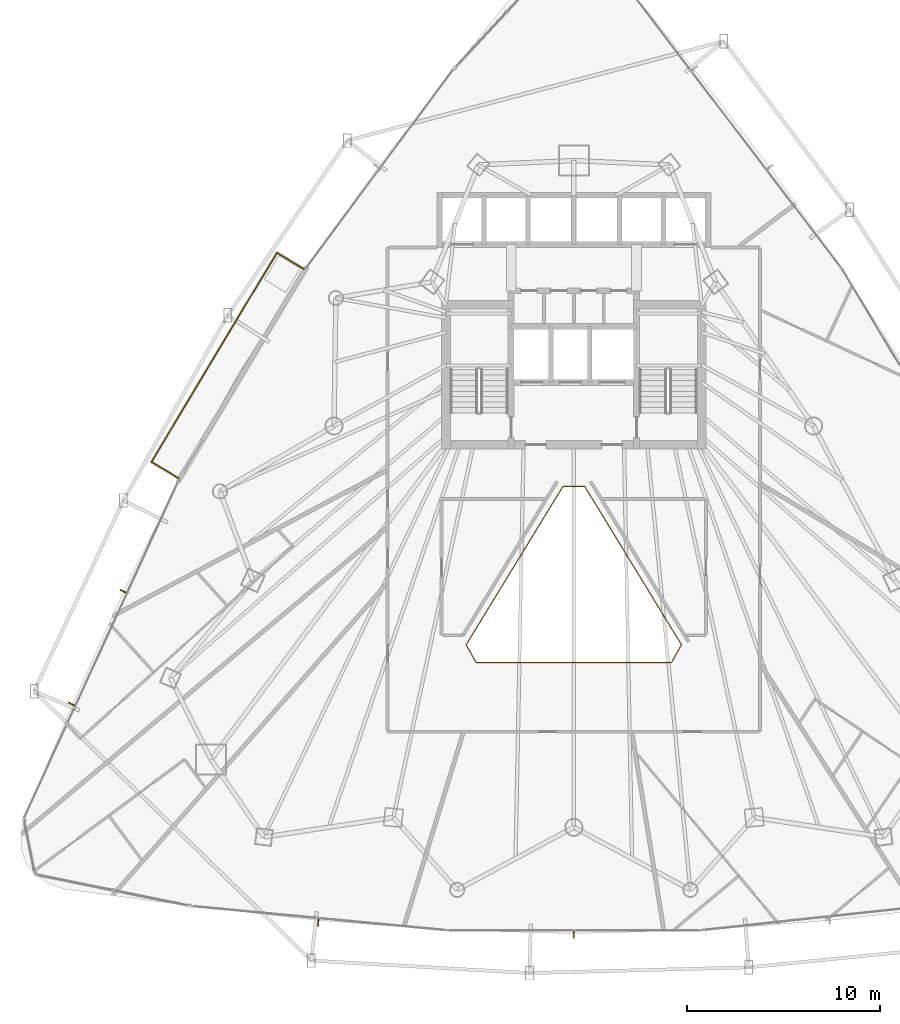
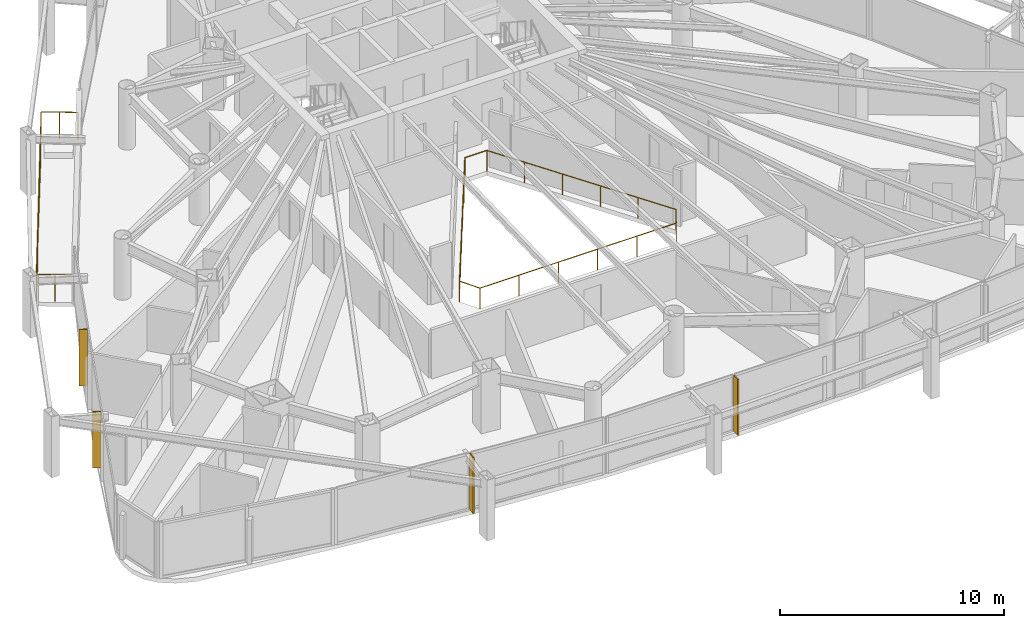
# One storey, part 35 of 38: 4 shading devices, 2 railings.
"""IFC4 building model written with IfcOpenShell, lengths in metres."""

import ifcopenshell
import ifcopenshell.guid

model = None  # the IFC model being written
_history = None  # IfcOwnerHistory: only IFC2X3 demands one
_inside = {}  # id of a spatial element -> (the spatial element, [elements in it])
_under = {}  # id of a project, library or spatial element -> (it, [spatial elements below it])
_declared = {}  # id of a project -> (the project, [libraries it declares])
_typed = {}  # id of a type object -> (the type object, [elements of that type])
_made_of = {}  # id of a material, layer set ... -> (it, [elements and type objects made of it])


def new_model(schema):
    """Start an empty IFC model of exactly this schema.

    Asked for "IFC4X3", IfcOpenShell would pick the latest addendum, in which some entities
    have other attributes; the version numbers below select the first issue.
    IFC2X3 requires an IfcOwnerHistory on every rooted entity: one is made here for all.
    """
    global model, _history
    if schema == "IFC4X3":
        model = ifcopenshell.file(schema_version=(4, 3, 0, 0))
    else:
        model = ifcopenshell.file(schema=schema)
    _inside.clear()
    _under.clear()
    _declared.clear()
    _typed.clear()
    _made_of.clear()
    _history = None
    if model.schema == "IFC2X3":
        org = make("IfcOrganization", Name="unknown")
        user = make(
            "IfcPersonAndOrganization",
            ThePerson=make("IfcPerson", FamilyName="unknown"),
            TheOrganization=org,
        )
        app = make(
            "IfcApplication",
            ApplicationDeveloper=org,
            Version="unknown",
            ApplicationFullName="unknown",
            ApplicationIdentifier="unknown",
        )
        _history = make(
            "IfcOwnerHistory",
            OwningUser=user,
            OwningApplication=app,
            ChangeAction="ADDED",
            CreationDate=0,
        )
    return model


def make(cls, **values):
    """One entity of the class cls with the attributes given. An attribute that is None is left unset."""
    return model.create_entity(
        cls, **{name: value for name, value in values.items() if value is not None}
    )


def rooted(cls, **values):
    """An entity with a GlobalId (a new one), such as an element, a storey or a relation."""
    return make(cls, GlobalId=ifcopenshell.guid.new(), OwnerHistory=_history, **values)


def si_unit(unit_type, name, prefix=None):
    """IfcSIUnit, for example si_unit("LENGTHUNIT", "METRE", prefix="MILLI")."""
    return make("IfcSIUnit", UnitType=unit_type, Prefix=prefix, Name=name)


def assignment(units):
    """IfcUnitAssignment: the units of a project."""
    return None if units is None else make("IfcUnitAssignment", Units=units)


def point(xyz):
    """IfcCartesianPoint."""
    return None if xyz is None else make("IfcCartesianPoint", Coordinates=xyz)


def direction(xyz):
    """IfcDirection."""
    return None if xyz is None else make("IfcDirection", DirectionRatios=xyz)


def frame(location, z_axis=None, x_axis=None):
    """IfcAxis2Placement3D, a coordinate frame: its origin and axes. An axis left out is left unset."""
    return make(
        "IfcAxis2Placement3D",
        Location=point(location),
        Axis=direction(z_axis),
        RefDirection=direction(x_axis),
    )


def frame_2d(location, x_axis=None):
    """IfcAxis2Placement2D, a coordinate frame in the plane: its origin and x axis."""
    return make(
        "IfcAxis2Placement2D", Location=point(location), RefDirection=direction(x_axis)
    )


def origin():
    """The frame at (0, 0, 0) with its axes left unset."""
    return frame((0.0, 0.0, 0.0))


def origin_2d():
    """The frame at (0, 0) in the plane with its x axis left unset."""
    return frame_2d((0.0, 0.0))


def place(relative_to, where):
    """IfcLocalPlacement: puts the frame where relative to a parent placement (None: the world)."""
    return make(
        "IfcLocalPlacement", PlacementRelTo=relative_to, RelativePlacement=where
    )


def context(
    kind, dimensions, precision=None, world=None, true_north=None, identifier=None
):
    """IfcGeometricRepresentationContext, for example the 3D "Model" context."""
    return make(
        "IfcGeometricRepresentationContext",
        ContextIdentifier=identifier,
        ContextType=kind,
        CoordinateSpaceDimension=dimensions,
        Precision=precision,
        WorldCoordinateSystem=world,
        TrueNorth=true_north,
    )


def subcontext(parent, identifier, kind, view, scale=None):
    """IfcGeometricRepresentationSubContext, for example "Body" below "Model"."""
    return make(
        "IfcGeometricRepresentationSubContext",
        ContextIdentifier=identifier,
        ContextType=kind,
        ParentContext=parent,
        TargetScale=scale,
        TargetView=view,
    )


def project(units=None, contexts=None):
    """IfcProject with its units and contexts."""
    return rooted(
        "IfcProject",
        Name="project",
        RepresentationContexts=contexts,
        UnitsInContext=assignment(units),
    )


def spatial(cls, under=None, at=None, **own):
    """A site, building, storey or space (cls), placed at a placement, below another one or the project."""
    s = rooted(cls, ObjectPlacement=at, **own)
    if under is not None:
        _under.setdefault(under.id(), (under, []))[1].append(s)
    return s


def profile(cls, at=None, kind="AREA", **sizes):
    """A parametric profile (cls). Its sizes go by their IFC names, for example OverallWidth=200.0."""
    return make(cls, ProfileType=kind, Position=at, **sizes)


def rectangle(**sizes):
    """IfcRectangleProfileDef."""
    return profile("IfcRectangleProfileDef", **sizes)


def circle(**sizes):
    """IfcCircleProfileDef."""
    return profile("IfcCircleProfileDef", **sizes)


def extrude(swept, where, along, depth):
    """IfcExtrudedAreaSolid: the profile swept, set in the frame where, extruded along a direction by depth."""
    return make(
        "IfcExtrudedAreaSolid",
        SweptArea=swept,
        Position=where,
        ExtrudedDirection=direction(along),
        Depth=depth,
    )


def shape(context_of_items, identifier, shape_type, items):
    """IfcShapeRepresentation: the items that make up one representation, for example the "Body"."""
    return make(
        "IfcShapeRepresentation",
        ContextOfItems=context_of_items,
        RepresentationIdentifier=identifier,
        RepresentationType=shape_type,
        Items=items,
    )


def material(Name=None, Category=None):
    """IfcMaterial."""
    return make("IfcMaterial", Name=Name, Category=Category)


def layer(
    of_material, thickness, ventilated=None, Name=None, Category=None, Priority=None
):
    """IfcMaterialLayer: one layer of a wall or slab, of a material (None: an air gap)."""
    return make(
        "IfcMaterialLayer",
        Material=of_material,
        LayerThickness=thickness,
        IsVentilated=ventilated,
        Name=Name,
        Category=Category,
        Priority=Priority,
    )


def layer_set(layers, Name=None):
    """IfcMaterialLayerSet."""
    return make("IfcMaterialLayerSet", MaterialLayers=layers, LayerSetName=Name)


def made_of(thing, what):
    """Note that an element or type object is made of a material, layer set ...; save() writes the relation."""
    if what is not None:
        _made_of.setdefault(what.id(), (what, []))[1].append(thing)
    return thing


def type_object(cls, material=None, **own):
    """A type object (cls), such as IfcWallType, which elements share."""
    return made_of(rooted(cls, **own), material)


def element(
    cls,
    number,
    at=None,
    inside=None,
    cuts=None,
    type_object=None,
    material=None,
    context=None,
    identifier="Body",
    shape_type=None,
    held_by="IfcProductDefinitionShape",
    body=None,
    shapes=None,
    **own,
):
    """One element of the class cls, such as IfcWall. Its Tag is "e" and its number.

    at: its placement. inside: the storey or other place that contains it. cuts: it is an
    opening in that element (IfcRelVoidsElement). A single representation is given by context,
    identifier, shape_type and body (its items); several are given by shapes. held_by: the class
    of the entity that holds the representations. save() writes the other relations.
    """
    e = rooted(cls, Tag="e%d" % number, ObjectPlacement=at, **own)
    if body is not None:
        shapes = [shape(context, identifier, shape_type, body)]
    if shapes is not None:
        e.Representation = make(held_by, Representations=shapes)
    if inside is not None:
        _inside.setdefault(inside.id(), (inside, []))[1].append(e)
    if cuts is not None:
        rooted(
            "IfcRelVoidsElement", RelatingBuildingElement=cuts, RelatedOpeningElement=e
        )
    if type_object is not None:
        _typed.setdefault(type_object.id(), (type_object, []))[1].append(e)
    return made_of(e, material)


def aggregate(whole, parts):
    """IfcRelAggregates: a whole, such as a stair, and the parts it consists of."""
    return rooted("IfcRelAggregates", RelatingObject=whole, RelatedObjects=parts)


def save(model, path):
    """Write the relations noted so far, then the file.

    IfcRelAggregates (storeys below a building ...), IfcRelContainedInSpatialStructure (elements
    in a storey), IfcRelDefinesByType, IfcRelAssociatesMaterial and IfcRelDeclares: one each for
    every whole, place, type object, material and project.
    """
    for whole, parts in _under.values():
        aggregate(whole, parts)
    for where, things in _inside.values():
        rooted(
            "IfcRelContainedInSpatialStructure",
            RelatedElements=things,
            RelatingStructure=where,
        )
    for kind, things in _typed.values():
        rooted("IfcRelDefinesByType", RelatedObjects=things, RelatingType=kind)
    for what, things in _made_of.values():
        rooted("IfcRelAssociatesMaterial", RelatedObjects=things, RelatingMaterial=what)
    for by, libraries in _declared.values():
        rooted("IfcRelDeclares", RelatingContext=by, RelatedDefinitions=libraries)
    model.write(path)


model = new_model("IFC4")

# Units and contexts
model_context = context("Model", 3, precision=1e-05, world=origin(), true_north=direction((0.0, 1.0)))
body_context = subcontext(model_context, "Body", "Model", "MODEL_VIEW")
ifc_project = project(units=[si_unit("LENGTHUNIT", "METRE"), si_unit("AREAUNIT", "SQUARE_METRE"), si_unit("VOLUMEUNIT", "CUBIC_METRE"), si_unit("PLANEANGLEUNIT", "RADIAN"), si_unit("MASSUNIT", "GRAM", prefix="KILO")], contexts=[model_context])

# Site, building, storey
site_placement = place(None, origin())
site = spatial("IfcSite", under=ifc_project, at=site_placement, CompositionType="ELEMENT")
building_placement = place(site_placement, origin())
building = spatial("IfcBuilding", under=site, at=building_placement, Name="Orvanel Arch Residences", CompositionType="ELEMENT")
storey_placement = place(building_placement, frame((0.0, 0.0, 46.699951171875)))
storey = spatial("IfcBuildingStorey", under=building, at=storey_placement, Name="L12", CompositionType="ELEMENT", Elevation=46.699951171875)

# Shading devices
ifc_material = material(Name="Bronze-anodised aluminium AA6063-T6", Category="aluminium")
ifc_layer = layer(ifc_material, 0.06005859375)
ifc_layer_set = layer_set([ifc_layer], Name="Bronze-anodised aluminium AA6063-T6")
shading_device_type = type_object("IfcShadingDeviceType", Name="FIN-BRZ-380", PredefinedType="USERDEFINED", material=ifc_layer_set)
for number, where, z_axis, x_axis, name in (
    (1, (9.652099609375, 19.073974609375, 0.0), (0.0, 0.0, 1.0), (-0.909236109047, 0.41628079226, 0.0), "L12 Anodised Bronze Mullion FIN 01"),
    (2, (6.97802734375, 13.23388671875, 0.0), (0.0, 0.0, 1.0), (-0.909236109047, 0.41628079226, 0.0), "L12 Anodised Bronze Mullion FIN 02"),
    (3, (19.757080078125, 1.91796875, 0.0), (0.0, 0.0, 1.0), (-0.094108313319, -0.995561964603, 0.0), "L12 Anodised Bronze Mullion FIN 01"),
    (4, (33.0, 1.291015625, 0.0), (0.0, 0.0, 1.0), (0.0, -1.0, 0.0), "L12 Anodised Bronze Mullion FIN 01"),
):
    element("IfcShadingDevice", number, at=place(storey_placement, frame(where, z_axis=z_axis, x_axis=x_axis)), inside=storey, type_object=shading_device_type, Name=name, ObjectType="FIN", PredefinedType="USERDEFINED", context=body_context, shape_type="SweptSolid", body=[
        extrude(rectangle(XDim=0.3798828125, YDim=0.06005859375, at=origin_2d()), origin(), (0.0, 0.0, 1.0), 3.06005859375),
    ])

# Railings
railing_type_1 = type_object("IfcRailingType", Name="RL-ATR-1150", PredefinedType="BALUSTRADE", material=ifc_material)
railing_1_placement = place(storey_placement, frame((33.56494140625, 24.5009765625, 0.0)))
element("IfcRailing", 5, at=railing_1_placement, inside=storey, type_object=railing_type_1, Name="L12 Atrium Void Protective Balustrade", PredefinedType="BALUSTRADE", context=body_context, shape_type="SweptSolid", body=[
    extrude(circle(Radius=0.02392578125, at=origin_2d()), frame((-0.00146484375, 0.0, 1.1259765625), z_axis=(-1.0, 0.0, 0.0), x_axis=(0.0, -1.0, 0.0)), (0.0, 0.0, 1.0), 1.126953125),
    extrude(circle(Radius=0.02392578125, at=origin_2d()), frame((-1.130615234375, -0.001220703125, 1.1259765625), z_axis=(-0.521548736033, -0.853221492897, 0.0), x_axis=(0.853221492897, -0.521548736033, 0.0)), (0.0, 0.0, 1.0), 9.599365234375),
    extrude(circle(Radius=0.02392578125, at=origin_2d()), frame((-6.13720703125, -8.194091796875, 1.1259765625), z_axis=(0.489024361599, -0.872270126602, 0.0), x_axis=(0.872270126602, 0.489024361599, 0.0)), (0.0, 0.0, 1.0), 1.056396484375),
    extrude(circle(Radius=0.02392578125, at=origin_2d()), frame((-5.618408203125, -9.116943359375, 1.1259765625), z_axis=(1.0, 0.0, 0.0), x_axis=(0.0, 1.0, 0.0)), (0.0, 0.0, 1.0), 10.10693359375),
    extrude(circle(Radius=0.02392578125, at=origin_2d()), frame((4.49072265625, -9.11572265625, 1.1259765625), z_axis=(0.489024361599, 0.872270126602, 0.0), x_axis=(-0.872270126602, 0.489024361599, 0.0)), (0.0, 0.0, 1.0), 1.056396484375),
    extrude(circle(Radius=0.02392578125, at=origin_2d()), frame((5.00732421875, -8.191650390625, 1.1259765625), z_axis=(-0.521548736033, 0.853221492897, 0.0), x_axis=(-0.853221492897, -0.521548736033, 0.0)), (0.0, 0.0, 1.0), 9.599365234375),
    extrude(circle(Radius=0.02099609375, at=origin_2d()), origin(), (0.0, 0.0, 1.0), 1.099853515625),
    extrude(circle(Radius=0.02099609375, at=origin_2d()), frame((-1.1298828125, 0.0, 0.0)), (0.0, 0.0, 1.0), 1.099853515625),
    extrude(circle(Radius=0.02099609375, at=origin_2d()), frame((-2.131591796875, -1.638671875, 0.0)), (0.0, 0.0, 1.0), 1.099853515625),
    extrude(circle(Radius=0.02099609375, at=origin_2d()), frame((-3.133056640625, -3.277099609375, 0.0)), (0.0, 0.0, 1.0), 1.099853515625),
    extrude(circle(Radius=0.02099609375, at=origin_2d()), frame((-4.134765625, -4.915771484375, 0.0)), (0.0, 0.0, 1.0), 1.099853515625),
    extrude(circle(Radius=0.02099609375, at=origin_2d()), frame((-5.13623046875, -6.55419921875, 0.0)), (0.0, 0.0, 1.0), 1.099853515625),
    extrude(circle(Radius=0.02099609375, at=origin_2d()), frame((-6.137939453125, -8.19287109375, 0.0)), (0.0, 0.0, 1.0), 1.099853515625),
    extrude(circle(Radius=0.02099609375, at=origin_2d()), frame((-5.619873046875, -9.116943359375, 0.0)), (0.0, 0.0, 1.0), 1.099853515625),
    extrude(circle(Radius=0.02099609375, at=origin_2d()), frame((-3.597900390625, -9.116943359375, 0.0)), (0.0, 0.0, 1.0), 1.099853515625),
    extrude(circle(Radius=0.02099609375, at=origin_2d()), frame((-1.575927734375, -9.116943359375, 0.0)), (0.0, 0.0, 1.0), 1.099853515625),
    extrude(circle(Radius=0.02099609375, at=origin_2d()), frame((0.446044921875, -9.116943359375, 0.0)), (0.0, 0.0, 1.0), 1.099853515625),
    extrude(circle(Radius=0.02099609375, at=origin_2d()), frame((2.468017578125, -9.116943359375, 0.0)), (0.0, 0.0, 1.0), 1.099853515625),
    extrude(circle(Radius=0.02099609375, at=origin_2d()), frame((4.489990234375, -9.116943359375, 0.0)), (0.0, 0.0, 1.0), 1.099853515625),
    extrude(circle(Radius=0.02099609375, at=origin_2d()), frame((5.008056640625, -8.19287109375, 0.0)), (0.0, 0.0, 1.0), 1.099853515625),
    extrude(circle(Radius=0.02099609375, at=origin_2d()), frame((4.00634765625, -6.55419921875, 0.0)), (0.0, 0.0, 1.0), 1.099853515625),
    extrude(circle(Radius=0.02099609375, at=origin_2d()), frame((3.0048828125, -4.915771484375, 0.0)), (0.0, 0.0, 1.0), 1.099853515625),
    extrude(circle(Radius=0.02099609375, at=origin_2d()), frame((2.003173828125, -3.277099609375, 0.0)), (0.0, 0.0, 1.0), 1.099853515625),
    extrude(circle(Radius=0.02099609375, at=origin_2d()), frame((1.001708984375, -1.638671875, 0.0)), (0.0, 0.0, 1.0), 1.099853515625),
])
railing_type_2 = type_object("IfcRailingType", Name="RL-BAL-1480", PredefinedType="BALUSTRADE", material=ifc_material)
railing_2_placement = place(storey_placement, frame((19.01904296875, 35.77392578125, 0.0)))
element("IfcRailing", 6, at=railing_2_placement, inside=storey, type_object=railing_type_2, Name="L12 Balcony Perimeter Guardrail Face 1", PredefinedType="BALUSTRADE", context=body_context, shape_type="SweptSolid", body=[
    extrude(circle(Radius=0.02392578125, at=origin_2d()), frame((-0.001220703125, 0.000732421875, 1.4560546875), z_axis=(-0.857387817543, 0.514670895164, 0.0), x_axis=(-0.514670895164, -0.857387817543, 0.0)), (0.0, 0.0, 1.0), 1.636962890625),
    extrude(circle(Radius=0.02392578125, at=origin_2d()), frame((-1.40673828125, 0.8427734375, 1.4560546875), z_axis=(-0.51435933579, -0.857574762738, 0.0), x_axis=(0.857574762738, -0.51435933579, 0.0)), (0.0, 0.0, 1.0), 12.63037109375),
    extrude(circle(Radius=0.02392578125, at=origin_2d()), frame((-7.90283203125, -9.99072265625, 1.4560546875), z_axis=(0.857545439568, -0.514408222208, 0.0), x_axis=(0.514408222208, 0.857545439568, 0.0)), (0.0, 0.0, 1.0), 1.6376953125),
    extrude(circle(Radius=0.02099609375, at=origin_2d()), origin(), (0.0, 0.0, 1.0), 1.429931640625),
    extrude(circle(Radius=0.02099609375, at=origin_2d()), frame((-0.703125, 0.421875, 0.0)), (0.0, 0.0, 1.0), 1.429931640625),
    extrude(circle(Radius=0.02099609375, at=origin_2d()), frame((-1.406005859375, 0.843994140625, 0.0)), (0.0, 0.0, 1.0), 1.429931640625),
    extrude(circle(Radius=0.02099609375, at=origin_2d()), frame((-1.996826171875, -0.140869140625, 0.0)), (0.0, 0.0, 1.0), 1.429931640625),
    extrude(circle(Radius=0.02099609375, at=origin_2d()), frame((-2.58740234375, -1.125732421875, 0.0)), (0.0, 0.0, 1.0), 1.429931640625),
    extrude(circle(Radius=0.02099609375, at=origin_2d()), frame((-3.17822265625, -2.11083984375, 0.0)), (0.0, 0.0, 1.0), 1.429931640625),
    extrude(circle(Radius=0.02099609375, at=origin_2d()), frame((-3.76904296875, -3.095703125, 0.0)), (0.0, 0.0, 1.0), 1.429931640625),
    extrude(circle(Radius=0.02099609375, at=origin_2d()), frame((-4.359619140625, -4.08056640625, 0.0)), (0.0, 0.0, 1.0), 1.429931640625),
    extrude(circle(Radius=0.02099609375, at=origin_2d()), frame((-4.950439453125, -5.0654296875, 0.0)), (0.0, 0.0, 1.0), 1.429931640625),
    extrude(circle(Radius=0.02099609375, at=origin_2d()), frame((-5.541015625, -6.05029296875, 0.0)), (0.0, 0.0, 1.0), 1.429931640625),
    extrude(circle(Radius=0.02099609375, at=origin_2d()), frame((-6.1318359375, -7.03515625, 0.0)), (0.0, 0.0, 1.0), 1.429931640625),
    extrude(circle(Radius=0.02099609375, at=origin_2d()), frame((-6.72265625, -8.020263671875, 0.0)), (0.0, 0.0, 1.0), 1.429931640625),
    extrude(circle(Radius=0.02099609375, at=origin_2d()), frame((-7.313232421875, -9.005126953125, 0.0)), (0.0, 0.0, 1.0), 1.429931640625),
    extrude(circle(Radius=0.02099609375, at=origin_2d()), frame((-7.904052734375, -9.989990234375, 0.0)), (0.0, 0.0, 1.0), 1.429931640625),
    extrude(circle(Radius=0.02099609375, at=origin_2d()), frame((-7.20068359375, -10.412109375, 0.0)), (0.0, 0.0, 1.0), 1.429931640625),
    extrude(circle(Radius=0.02099609375, at=origin_2d()), frame((-6.4970703125, -10.833984375, 0.0)), (0.0, 0.0, 1.0), 1.429931640625),
])

save(model, "model.ifc")
